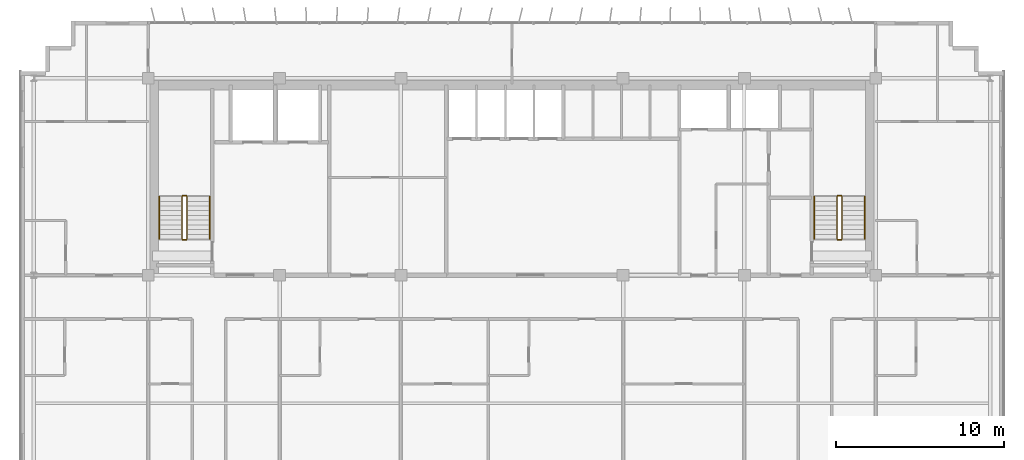
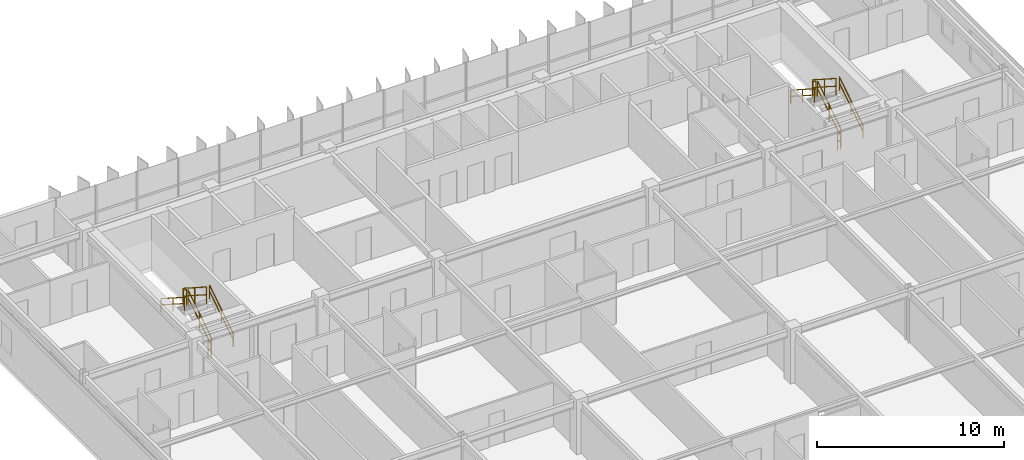
# One storey, part 23 of 23: 12 railings.
"""IFC4 building model written with IfcOpenShell, lengths in metres."""

from ifc_helpers import new_model, si_unit, direction, frame, origin, origin_2d, place, context, subcontext, project, spatial, rectangle, extrude, material, type_object, element, save


model = new_model("IFC4")

# Units and contexts
model_context = context("Model", 3, precision=1e-05, world=origin(), true_north=direction((0.0, 1.0)))
body_context = subcontext(model_context, "Body", "Model", "MODEL_VIEW")
ifc_project = project(units=[si_unit("LENGTHUNIT", "METRE"), si_unit("AREAUNIT", "SQUARE_METRE"), si_unit("VOLUMEUNIT", "CUBIC_METRE"), si_unit("PLANEANGLEUNIT", "RADIAN"), si_unit("MASSUNIT", "GRAM", prefix="KILO")], contexts=[model_context])

# Site, building, storey
site_placement = place(None, origin())
site = spatial("IfcSite", under=ifc_project, at=site_placement, CompositionType="ELEMENT")
building_placement = place(site_placement, origin())
building = spatial("IfcBuilding", under=site, at=building_placement, Name="Trelvane Seafront Commons", CompositionType="ELEMENT")
storey_placement = place(building_placement, frame((0.0, 0.0, 212.10009765625)))
storey = spatial("IfcBuildingStorey", under=building, at=storey_placement, Name="L55", CompositionType="ELEMENT", Elevation=212.10009765625)

# Railings
ifc_material = material(Name="Stainless steel balustrade", Category="steel")
railing_type_1 = type_object("IfcRailingType", Name="ARCH-SRL-GUARD", PredefinedType="GUARDRAIL", material=ifc_material)
railing_1_placement = place(storey_placement, frame((17.89990234375, 35.550048828125, 0.179931640625)))
element("IfcRailing", 1, at=railing_1_placement, inside=storey, type_object=railing_type_1, Name="L55 ST-1 stair guard 1", PredefinedType="GUARDRAIL", context=body_context, shape_type="SweptSolid", body=[
    extrude(rectangle(XDim=0.048095703125, YDim=0.048095703125, at=origin_2d()), frame((0.0, 0.0, 1.076171875), z_axis=(0.0, 0.841199657755, 0.540724639528), x_axis=(-1.0, 0.0, 0.0)), (0.0, 0.0, 1.0), 2.995849609375),
    extrude(rectangle(XDim=0.048095703125, YDim=0.048095703125, at=origin_2d()), frame((0.0, 0.0, 0.572021484375), z_axis=(0.0, 0.841199657755, 0.540724639528), x_axis=(-1.0, 0.0, 0.0)), (0.0, 0.0, 1.0), 2.995849609375),
    extrude(rectangle(XDim=0.0419921875, YDim=0.0419921875, at=origin_2d()), origin(), (0.0, 0.0, 1.0), 1.076171875),
    extrude(rectangle(XDim=0.0419921875, YDim=0.0419921875, at=origin_2d()), frame((0.0, 1.260009765625, 0.81005859375)), (0.0, 0.0, 1.0), 1.076171875),
    extrude(rectangle(XDim=0.0419921875, YDim=0.0419921875, at=origin_2d()), frame((0.0, 2.52001953125, 1.619873046875)), (0.0, 0.0, 1.0), 1.076171875),
])
railing_2_placement = place(storey_placement, frame((17.85009765625, 38.1201171875, 1.7998046875)))
element("IfcRailing", 2, at=railing_2_placement, inside=storey, type_object=railing_type_1, Name="L55 ST-1 stair guard 2", PredefinedType="GUARDRAIL", context=body_context, shape_type="SweptSolid", body=[
    extrude(rectangle(XDim=0.048095703125, YDim=0.048095703125, at=origin_2d()), frame((0.0, 0.0, 1.076171875), z_axis=(-1.0, 0.0, 0.0), x_axis=(0.0, -1.0, 0.0)), (0.0, 0.0, 1.0), 0.2001953125),
    extrude(rectangle(XDim=0.048095703125, YDim=0.048095703125, at=origin_2d()), frame((0.0, 0.0, 0.572021484375), z_axis=(-1.0, 0.0, 0.0), x_axis=(0.0, -1.0, 0.0)), (0.0, 0.0, 1.0), 0.2001953125),
    extrude(rectangle(XDim=0.0419921875, YDim=0.0419921875, at=origin_2d()), origin(), (0.0, 0.0, 1.0), 1.076171875),
    extrude(rectangle(XDim=0.0419921875, YDim=0.0419921875, at=origin_2d()), frame((-0.2001953125, 0.0, 0.0)), (0.0, 0.0, 1.0), 1.076171875),
])
railing_3_placement = place(storey_placement, frame((17.60009765625, 38.070068359375, 1.97998046875)))
element("IfcRailing", 3, at=railing_3_placement, inside=storey, type_object=railing_type_1, Name="L55 ST-1 stair guard 3", PredefinedType="GUARDRAIL", context=body_context, shape_type="SweptSolid", body=[
    extrude(rectangle(XDim=0.048095703125, YDim=0.048095703125, at=origin_2d()), frame((0.0, 0.0, 1.076171875), z_axis=(0.0, -0.841199657755, 0.540724639528), x_axis=(1.0, 0.0, 0.0)), (0.0, 0.0, 1.0), 2.995849609375),
    extrude(rectangle(XDim=0.048095703125, YDim=0.048095703125, at=origin_2d()), frame((0.0, 0.0, 0.572021484375), z_axis=(0.0, -0.841199657755, 0.540724639528), x_axis=(1.0, 0.0, 0.0)), (0.0, 0.0, 1.0), 2.995849609375),
    extrude(rectangle(XDim=0.0419921875, YDim=0.0419921875, at=origin_2d()), origin(), (0.0, 0.0, 1.0), 1.076171875),
    extrude(rectangle(XDim=0.0419921875, YDim=0.0419921875, at=origin_2d()), frame((0.0, -1.260009765625, 0.81005859375)), (0.0, 0.0, 1.0), 1.076171875),
    extrude(rectangle(XDim=0.0419921875, YDim=0.0419921875, at=origin_2d()), frame((0.0, -2.52001953125, 1.619873046875)), (0.0, 0.0, 1.0), 1.076171875),
])
railing_4_placement = place(storey_placement, frame((17.85009765625, 35.5, 0.0)))
element("IfcRailing", 4, at=railing_4_placement, inside=storey, type_object=railing_type_1, Name="L55 ST-1 stair guard 4", PredefinedType="GUARDRAIL", context=body_context, shape_type="SweptSolid", body=[
    extrude(rectangle(XDim=0.048095703125, YDim=0.048095703125, at=origin_2d()), frame((0.0, 0.0, 1.076171875), z_axis=(-1.0, 0.0, 0.0), x_axis=(0.0, -1.0, 0.0)), (0.0, 0.0, 1.0), 0.2001953125),
    extrude(rectangle(XDim=0.048095703125, YDim=0.048095703125, at=origin_2d()), frame((0.0, 0.0, 0.572021484375), z_axis=(-1.0, 0.0, 0.0), x_axis=(0.0, -1.0, 0.0)), (0.0, 0.0, 1.0), 0.2001953125),
    extrude(rectangle(XDim=0.0419921875, YDim=0.0419921875, at=origin_2d()), origin(), (0.0, 0.0, 1.0), 1.076171875),
    extrude(rectangle(XDim=0.0419921875, YDim=0.0419921875, at=origin_2d()), frame((-0.2001953125, 0.0, 0.0)), (0.0, 0.0, 1.0), 1.076171875),
])
railing_5_placement = place(storey_placement, frame((56.800048828125, 35.550048828125, 0.179931640625)))
element("IfcRailing", 5, at=railing_5_placement, inside=storey, type_object=railing_type_1, Name="L55 ST-2 stair guard 1", PredefinedType="GUARDRAIL", context=body_context, shape_type="SweptSolid", body=[
    extrude(rectangle(XDim=0.048095703125, YDim=0.048095703125, at=origin_2d()), frame((0.0, 0.0, 1.076171875), z_axis=(0.0, 0.841199657755, 0.540724639528), x_axis=(-1.0, 0.0, 0.0)), (0.0, 0.0, 1.0), 2.995849609375),
    extrude(rectangle(XDim=0.048095703125, YDim=0.048095703125, at=origin_2d()), frame((0.0, 0.0, 0.572021484375), z_axis=(0.0, 0.841199657755, 0.540724639528), x_axis=(-1.0, 0.0, 0.0)), (0.0, 0.0, 1.0), 2.995849609375),
    extrude(rectangle(XDim=0.0419921875, YDim=0.0419921875, at=origin_2d()), origin(), (0.0, 0.0, 1.0), 1.076171875),
    extrude(rectangle(XDim=0.0419921875, YDim=0.0419921875, at=origin_2d()), frame((0.0, 1.260009765625, 0.81005859375)), (0.0, 0.0, 1.0), 1.076171875),
    extrude(rectangle(XDim=0.0419921875, YDim=0.0419921875, at=origin_2d()), frame((0.0, 2.52001953125, 1.619873046875)), (0.0, 0.0, 1.0), 1.076171875),
])
railing_6_placement = place(storey_placement, frame((56.75, 38.1201171875, 1.7998046875)))
element("IfcRailing", 6, at=railing_6_placement, inside=storey, type_object=railing_type_1, Name="L55 ST-2 stair guard 2", PredefinedType="GUARDRAIL", context=body_context, shape_type="SweptSolid", body=[
    extrude(rectangle(XDim=0.048095703125, YDim=0.048095703125, at=origin_2d()), frame((0.0, 0.0, 1.076171875), z_axis=(-1.0, 0.0, 0.0), x_axis=(0.0, -1.0, 0.0)), (0.0, 0.0, 1.0), 0.199951171875),
    extrude(rectangle(XDim=0.048095703125, YDim=0.048095703125, at=origin_2d()), frame((0.0, 0.0, 0.572021484375), z_axis=(-1.0, 0.0, 0.0), x_axis=(0.0, -1.0, 0.0)), (0.0, 0.0, 1.0), 0.199951171875),
    extrude(rectangle(XDim=0.0419921875, YDim=0.0419921875, at=origin_2d()), origin(), (0.0, 0.0, 1.0), 1.076171875),
    extrude(rectangle(XDim=0.0419921875, YDim=0.0419921875, at=origin_2d()), frame((-0.199951171875, 0.0, 0.0)), (0.0, 0.0, 1.0), 1.076171875),
])
railing_7_placement = place(storey_placement, frame((56.5, 38.070068359375, 1.97998046875)))
element("IfcRailing", 7, at=railing_7_placement, inside=storey, type_object=railing_type_1, Name="L55 ST-2 stair guard 3", PredefinedType="GUARDRAIL", context=body_context, shape_type="SweptSolid", body=[
    extrude(rectangle(XDim=0.048095703125, YDim=0.048095703125, at=origin_2d()), frame((0.0, 0.0, 1.076171875), z_axis=(0.0, -0.841199657755, 0.540724639528), x_axis=(1.0, 0.0, 0.0)), (0.0, 0.0, 1.0), 2.995849609375),
    extrude(rectangle(XDim=0.048095703125, YDim=0.048095703125, at=origin_2d()), frame((0.0, 0.0, 0.572021484375), z_axis=(0.0, -0.841199657755, 0.540724639528), x_axis=(1.0, 0.0, 0.0)), (0.0, 0.0, 1.0), 2.995849609375),
    extrude(rectangle(XDim=0.0419921875, YDim=0.0419921875, at=origin_2d()), origin(), (0.0, 0.0, 1.0), 1.076171875),
    extrude(rectangle(XDim=0.0419921875, YDim=0.0419921875, at=origin_2d()), frame((0.0, -1.260009765625, 0.81005859375)), (0.0, 0.0, 1.0), 1.076171875),
    extrude(rectangle(XDim=0.0419921875, YDim=0.0419921875, at=origin_2d()), frame((0.0, -2.52001953125, 1.619873046875)), (0.0, 0.0, 1.0), 1.076171875),
])
railing_8_placement = place(storey_placement, frame((56.75, 35.5, 0.0)))
element("IfcRailing", 8, at=railing_8_placement, inside=storey, type_object=railing_type_1, Name="L55 ST-2 stair guard 4", PredefinedType="GUARDRAIL", context=body_context, shape_type="SweptSolid", body=[
    extrude(rectangle(XDim=0.048095703125, YDim=0.048095703125, at=origin_2d()), frame((0.0, 0.0, 1.076171875), z_axis=(-1.0, 0.0, 0.0), x_axis=(0.0, -1.0, 0.0)), (0.0, 0.0, 1.0), 0.199951171875),
    extrude(rectangle(XDim=0.048095703125, YDim=0.048095703125, at=origin_2d()), frame((0.0, 0.0, 0.572021484375), z_axis=(-1.0, 0.0, 0.0), x_axis=(0.0, -1.0, 0.0)), (0.0, 0.0, 1.0), 0.199951171875),
    extrude(rectangle(XDim=0.0419921875, YDim=0.0419921875, at=origin_2d()), origin(), (0.0, 0.0, 1.0), 1.076171875),
    extrude(rectangle(XDim=0.0419921875, YDim=0.0419921875, at=origin_2d()), frame((-0.199951171875, 0.0, 0.0)), (0.0, 0.0, 1.0), 1.076171875),
])
railing_type_2 = type_object("IfcRailingType", Name="ARCH-SRL-HAND", PredefinedType="HANDRAIL", material=ifc_material)
railing_9_placement = place(storey_placement, frame((19.25, 35.550048828125, 0.179931640625)))
element("IfcRailing", 9, at=railing_9_placement, inside=storey, type_object=railing_type_2, Name="L55 ST-1 stair handrail 1", PredefinedType="HANDRAIL", context=body_context, shape_type="SweptSolid", body=[
    extrude(rectangle(XDim=0.048095703125, YDim=0.048095703125, at=origin_2d()), frame((0.0, 0.0, 0.8759765625), z_axis=(0.0, 0.841199657755, 0.540724639528), x_axis=(-1.0, 0.0, 0.0)), (0.0, 0.0, 1.0), 2.995849609375),
    extrude(rectangle(XDim=0.048095703125, YDim=0.048095703125, at=origin_2d()), frame((0.0, 0.0, 0.468017578125), z_axis=(0.0, 0.841199657755, 0.540724639528), x_axis=(-1.0, 0.0, 0.0)), (0.0, 0.0, 1.0), 2.995849609375),
    extrude(rectangle(XDim=0.0419921875, YDim=0.0419921875, at=origin_2d()), origin(), (0.0, 0.0, 1.0), 0.8759765625),
    extrude(rectangle(XDim=0.0419921875, YDim=0.0419921875, at=origin_2d()), frame((0.0, 1.260009765625, 0.81005859375)), (0.0, 0.0, 1.0), 0.8759765625),
    extrude(rectangle(XDim=0.0419921875, YDim=0.0419921875, at=origin_2d()), frame((0.0, 2.52001953125, 1.619873046875)), (0.0, 0.0, 1.0), 0.8759765625),
])
railing_10_placement = place(storey_placement, frame((16.25, 38.070068359375, 1.97998046875)))
element("IfcRailing", 10, at=railing_10_placement, inside=storey, type_object=railing_type_2, Name="L55 ST-1 stair handrail 2", PredefinedType="HANDRAIL", context=body_context, shape_type="SweptSolid", body=[
    extrude(rectangle(XDim=0.048095703125, YDim=0.048095703125, at=origin_2d()), frame((0.0, 0.0, 0.8759765625), z_axis=(0.0, -0.841199657755, 0.540724639528), x_axis=(1.0, 0.0, 0.0)), (0.0, 0.0, 1.0), 2.995849609375),
    extrude(rectangle(XDim=0.048095703125, YDim=0.048095703125, at=origin_2d()), frame((0.0, 0.0, 0.468017578125), z_axis=(0.0, -0.841199657755, 0.540724639528), x_axis=(1.0, 0.0, 0.0)), (0.0, 0.0, 1.0), 2.995849609375),
    extrude(rectangle(XDim=0.0419921875, YDim=0.0419921875, at=origin_2d()), origin(), (0.0, 0.0, 1.0), 0.8759765625),
    extrude(rectangle(XDim=0.0419921875, YDim=0.0419921875, at=origin_2d()), frame((0.0, -1.260009765625, 0.81005859375)), (0.0, 0.0, 1.0), 0.8759765625),
    extrude(rectangle(XDim=0.0419921875, YDim=0.0419921875, at=origin_2d()), frame((0.0, -2.52001953125, 1.619873046875)), (0.0, 0.0, 1.0), 0.8759765625),
])
railing_11_placement = place(storey_placement, frame((58.14990234375, 35.550048828125, 0.179931640625)))
element("IfcRailing", 11, at=railing_11_placement, inside=storey, type_object=railing_type_2, Name="L55 ST-2 stair handrail 1", PredefinedType="HANDRAIL", context=body_context, shape_type="SweptSolid", body=[
    extrude(rectangle(XDim=0.048095703125, YDim=0.048095703125, at=origin_2d()), frame((0.0, 0.0, 0.8759765625), z_axis=(0.0, 0.841199657755, 0.540724639528), x_axis=(-1.0, 0.0, 0.0)), (0.0, 0.0, 1.0), 2.995849609375),
    extrude(rectangle(XDim=0.048095703125, YDim=0.048095703125, at=origin_2d()), frame((0.0, 0.0, 0.468017578125), z_axis=(0.0, 0.841199657755, 0.540724639528), x_axis=(-1.0, 0.0, 0.0)), (0.0, 0.0, 1.0), 2.995849609375),
    extrude(rectangle(XDim=0.0419921875, YDim=0.0419921875, at=origin_2d()), origin(), (0.0, 0.0, 1.0), 0.8759765625),
    extrude(rectangle(XDim=0.0419921875, YDim=0.0419921875, at=origin_2d()), frame((0.0, 1.260009765625, 0.81005859375)), (0.0, 0.0, 1.0), 0.8759765625),
    extrude(rectangle(XDim=0.0419921875, YDim=0.0419921875, at=origin_2d()), frame((0.0, 2.52001953125, 1.619873046875)), (0.0, 0.0, 1.0), 0.8759765625),
])
railing_12_placement = place(storey_placement, frame((55.14990234375, 38.070068359375, 1.97998046875)))
element("IfcRailing", 12, at=railing_12_placement, inside=storey, type_object=railing_type_2, Name="L55 ST-2 stair handrail 2", PredefinedType="HANDRAIL", context=body_context, shape_type="SweptSolid", body=[
    extrude(rectangle(XDim=0.048095703125, YDim=0.048095703125, at=origin_2d()), frame((0.0, 0.0, 0.8759765625), z_axis=(0.0, -0.841199657755, 0.540724639528), x_axis=(1.0, 0.0, 0.0)), (0.0, 0.0, 1.0), 2.995849609375),
    extrude(rectangle(XDim=0.048095703125, YDim=0.048095703125, at=origin_2d()), frame((0.0, 0.0, 0.468017578125), z_axis=(0.0, -0.841199657755, 0.540724639528), x_axis=(1.0, 0.0, 0.0)), (0.0, 0.0, 1.0), 2.995849609375),
    extrude(rectangle(XDim=0.0419921875, YDim=0.0419921875, at=origin_2d()), origin(), (0.0, 0.0, 1.0), 0.8759765625),
    extrude(rectangle(XDim=0.0419921875, YDim=0.0419921875, at=origin_2d()), frame((0.0, -1.260009765625, 0.81005859375)), (0.0, 0.0, 1.0), 0.8759765625),
    extrude(rectangle(XDim=0.0419921875, YDim=0.0419921875, at=origin_2d()), frame((0.0, -2.52001953125, 1.619873046875)), (0.0, 0.0, 1.0), 0.8759765625),
])

save(model, "model.ifc")
